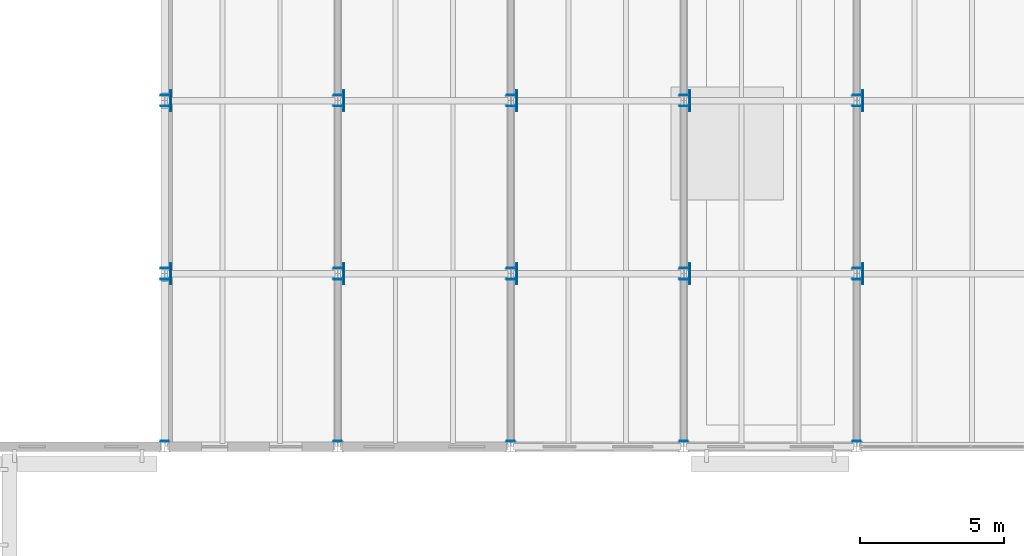
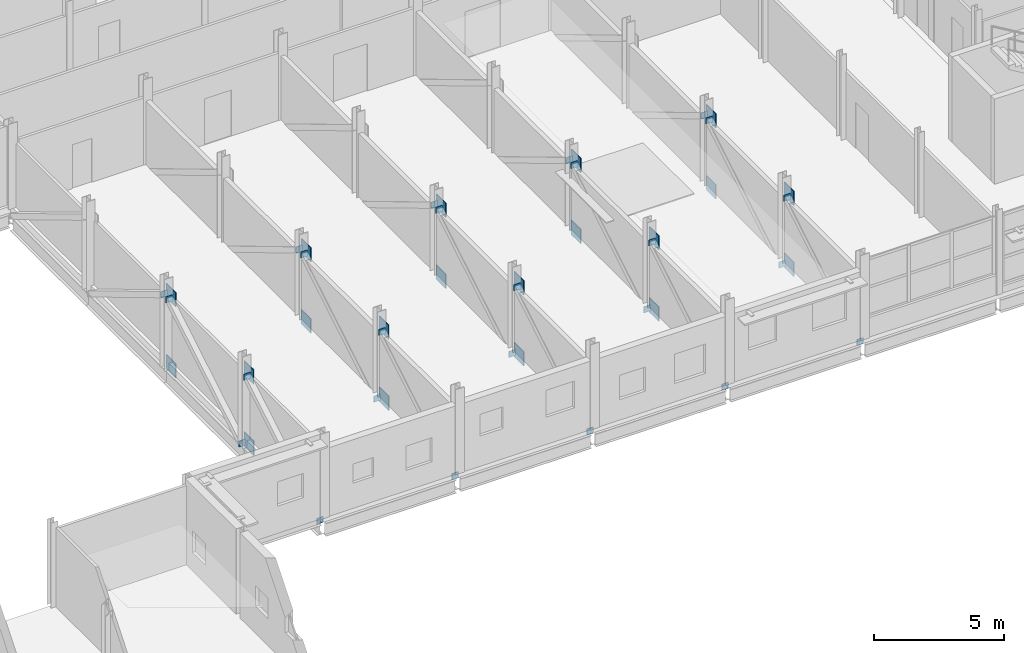
# One storey, part 54 of 92: 45 plates.
"""IFC4 building model written with IfcOpenShell, lengths in metres."""

from ifc_helpers import new_model, si_unit, direction, frame, origin, origin_2d, place, context, subcontext, project, spatial, rectangle, extrude, material, layer, layer_set, type_object, element, save


model = new_model("IFC4")

# Units and contexts
model_context = context("Model", 3, precision=1e-05, world=origin(), true_north=direction((0.0, 1.0)))
body_context = subcontext(model_context, "Body", "Model", "MODEL_VIEW")
ifc_project = project(units=[si_unit("LENGTHUNIT", "METRE"), si_unit("AREAUNIT", "SQUARE_METRE"), si_unit("VOLUMEUNIT", "CUBIC_METRE"), si_unit("PLANEANGLEUNIT", "RADIAN"), si_unit("MASSUNIT", "GRAM", prefix="KILO")], contexts=[model_context])

# Site, building, storey
site_placement = place(None, origin())
site = spatial("IfcSite", under=ifc_project, at=site_placement, CompositionType="ELEMENT")
building_placement = place(site_placement, origin())
building = spatial("IfcBuilding", under=site, at=building_placement, Name="Siltcreek Boulevard Central Fire Station", CompositionType="ELEMENT")
storey_placement = place(building_placement, frame((0.0, 0.0, 6.0)))
storey = spatial("IfcBuildingStorey", under=building, at=storey_placement, Name="L02", CompositionType="ELEMENT", Elevation=6.0)

# Plates
ifc_material = material(Name="Structural steel ASTM A572 Gr50", Category="steel")
ifc_layer_1 = layer(ifc_material, 0.02490234375, Name="Structural steel ASTM A572 Gr50")
ifc_layer_set_1 = layer_set([ifc_layer_1], Name="Structural steel ASTM A572 Gr50")
plate_type_1 = type_object("IfcPlateType", Name="PL_CAP25", PredefinedType="USERDEFINED", material=ifc_layer_set_1)
for number, where, z_axis, x_axis, name in (
    (1, (66.0, 18.19091796875, -0.474853515625), (0.0, 0.0, 1.0), (0.0, 1.0, 0.0), "Pratt transfer truss TT1 diagonal web 1 sealed end cap 1"),
    (2, (66.0, 23.80908203125, 2.891845703125), (0.0, 0.0, 1.0), (0.0, 1.0, 0.0), "Pratt transfer truss TT1 diagonal web 1 sealed end cap 2"),
    (3, (66.0, 24.19091796875, -0.474853515625), (0.0, 0.0, 1.0), (0.0, 1.0, 0.0), "Pratt transfer truss TT1 diagonal web 2 sealed end cap 1"),
    (4, (66.0, 29.80908203125, 2.891845703125), (0.0, 0.0, 1.0), (0.0, 1.0, 0.0), "Pratt transfer truss TT1 diagonal web 2 sealed end cap 2"),
    (5, (66.0, 30.19091796875, 2.891845703125), (0.0, 0.0, 1.0), (0.0, -1.0, 0.0), "Pratt transfer truss TT1 diagonal web 3 sealed end cap 2"),
    (6, (72.0, 18.19091796875, -0.474853515625), (0.0, 0.0, 1.0), (0.0, 1.0, 0.0), "Pratt transfer truss TT2 diagonal web 1 sealed end cap 1"),
    (7, (72.0, 23.80908203125, 2.891845703125), (0.0, 0.0, 1.0), (0.0, 1.0, 0.0), "Pratt transfer truss TT2 diagonal web 1 sealed end cap 2"),
    (8, (72.0, 24.19091796875, -0.474853515625), (0.0, 0.0, 1.0), (0.0, 1.0, 0.0), "Pratt transfer truss TT2 diagonal web 2 sealed end cap 1"),
    (9, (72.0, 29.80908203125, 2.891845703125), (0.0, 0.0, 1.0), (0.0, 1.0, 0.0), "Pratt transfer truss TT2 diagonal web 2 sealed end cap 2"),
    (10, (72.0, 30.19091796875, 2.891845703125), (0.0, 0.0, 1.0), (0.0, -1.0, 0.0), "Pratt transfer truss TT2 diagonal web 3 sealed end cap 2"),
    (11, (78.0, 18.19091796875, -0.474853515625), (0.0, 0.0, 1.0), (0.0, 1.0, 0.0), "Pratt transfer truss TT3 diagonal web 1 sealed end cap 1"),
    (12, (78.0, 23.80908203125, 2.891845703125), (0.0, 0.0, 1.0), (0.0, 1.0, 0.0), "Pratt transfer truss TT3 diagonal web 1 sealed end cap 2"),
    (13, (78.0, 24.19091796875, -0.474853515625), (0.0, 0.0, 1.0), (0.0, 1.0, 0.0), "Pratt transfer truss TT3 diagonal web 2 sealed end cap 1"),
    (14, (78.0, 29.80908203125, 2.891845703125), (0.0, 0.0, 1.0), (0.0, 1.0, 0.0), "Pratt transfer truss TT3 diagonal web 2 sealed end cap 2"),
    (15, (78.0, 30.19091796875, 2.891845703125), (0.0, 0.0, 1.0), (0.0, -1.0, 0.0), "Pratt transfer truss TT3 diagonal web 3 sealed end cap 2"),
    (16, (84.0, 18.19091796875, -0.474853515625), (0.0, 0.0, 1.0), (0.0, 1.0, 0.0), "Pratt transfer truss TT4 diagonal web 1 sealed end cap 1"),
    (17, (84.0, 23.80908203125, 2.891845703125), (0.0, 0.0, 1.0), (0.0, 1.0, 0.0), "Pratt transfer truss TT4 diagonal web 1 sealed end cap 2"),
    (18, (84.0, 24.19091796875, -0.474853515625), (0.0, 0.0, 1.0), (0.0, 1.0, 0.0), "Pratt transfer truss TT4 diagonal web 2 sealed end cap 1"),
    (19, (84.0, 29.80908203125, 2.891845703125), (0.0, 0.0, 1.0), (0.0, 1.0, 0.0), "Pratt transfer truss TT4 diagonal web 2 sealed end cap 2"),
    (20, (84.0, 30.19091796875, 2.891845703125), (0.0, 0.0, 1.0), (0.0, -1.0, 0.0), "Pratt transfer truss TT4 diagonal web 3 sealed end cap 2"),
    (21, (90.0, 18.19091796875, -0.474853515625), (0.0, 0.0, 1.0), (0.0, 1.0, 0.0), "Pratt transfer truss TT5 diagonal web 1 sealed end cap 1"),
    (22, (90.0, 23.80908203125, 2.891845703125), (0.0, 0.0, 1.0), (0.0, 1.0, 0.0), "Pratt transfer truss TT5 diagonal web 1 sealed end cap 2"),
    (23, (90.0, 24.19091796875, -0.474853515625), (0.0, 0.0, 1.0), (0.0, 1.0, 0.0), "Pratt transfer truss TT5 diagonal web 2 sealed end cap 1"),
    (24, (90.0, 29.80908203125, 2.891845703125), (0.0, 0.0, 1.0), (0.0, 1.0, 0.0), "Pratt transfer truss TT5 diagonal web 2 sealed end cap 2"),
    (25, (90.0, 30.19091796875, 2.891845703125), (0.0, 0.0, 1.0), (0.0, -1.0, 0.0), "Pratt transfer truss TT5 diagonal web 3 sealed end cap 2"),
):
    element("IfcPlate", number, at=place(storey_placement, frame(where, z_axis=z_axis, x_axis=x_axis)), inside=storey, type_object=plate_type_1, Name=name, ObjectType="END CAP", PredefinedType="USERDEFINED", context=body_context, shape_type="SweptSolid", body=[
        extrude(rectangle(XDim=0.02490234375, YDim=0.2900390625, at=origin_2d()), origin(), (0.0, 0.0, 1.0), 0.2900390625),
    ])
ifc_layer_2 = layer(ifc_material, 0.033935546875, Name="Structural steel ASTM A572 Gr50")
ifc_layer_set_2 = layer_set([ifc_layer_2], Name="Structural steel ASTM A572 Gr50")
plate_type_2 = type_object("IfcPlateType", Name="PL_GUS34", PredefinedType="USERDEFINED", material=ifc_layer_set_2)
for number, where, z_axis, x_axis, name in (
    (26, (66.2099609375, 24.0, 2.68359375), (0.0, 0.0, 1.0), (1.0, 0.0, 0.0), "Pratt transfer truss node gusset plate GP-002"),
    (27, (66.2099609375, 30.0, 2.68359375), (0.0, 0.0, 1.0), (1.0, 0.0, 0.0), "Pratt transfer truss node gusset plate GP-004"),
    (28, (72.2099609375, 24.0, 2.68359375), (0.0, 0.0, 1.0), (1.0, 0.0, 0.0), "Pratt transfer truss node gusset plate GP-008"),
    (29, (72.2099609375, 30.0, 2.68359375), (0.0, 0.0, 1.0), (1.0, 0.0, 0.0), "Pratt transfer truss node gusset plate GP-010"),
    (30, (78.2099609375, 24.0, 2.68359375), (0.0, 0.0, 1.0), (1.0, 0.0, 0.0), "Pratt transfer truss node gusset plate GP-014"),
    (31, (78.2099609375, 30.0, 2.68359375), (0.0, 0.0, 1.0), (1.0, 0.0, 0.0), "Pratt transfer truss node gusset plate GP-016"),
    (32, (84.2099609375, 24.0, 2.68359375), (0.0, 0.0, 1.0), (1.0, 0.0, 0.0), "Pratt transfer truss node gusset plate GP-020"),
    (33, (84.2099609375, 30.0, 2.68359375), (0.0, 0.0, 1.0), (1.0, 0.0, 0.0), "Pratt transfer truss node gusset plate GP-022"),
    (34, (90.2099609375, 24.0, 2.68359375), (0.0, 0.0, 1.0), (1.0, 0.0, 0.0), "Pratt transfer truss node gusset plate GP-026"),
    (35, (90.2099609375, 30.0, 2.68359375), (0.0, 0.0, 1.0), (1.0, 0.0, 0.0), "Pratt transfer truss node gusset plate GP-028"),
):
    element("IfcPlate", number, at=place(storey_placement, frame(where, z_axis=z_axis, x_axis=x_axis)), inside=storey, type_object=plate_type_2, Name=name, ObjectType="GUSSET PLATE", PredefinedType="USERDEFINED", context=body_context, shape_type="SweptSolid", body=[
        extrude(rectangle(XDim=0.033935546875, YDim=0.719970703125, at=origin_2d()), origin(), (0.0, 0.0, 1.0), 0.679931640625),
    ])
ifc_layer_3 = layer(ifc_material, 0.0400390625, Name="Structural steel ASTM A572 Gr50")
ifc_layer_set_3 = layer_set([ifc_layer_3], Name="Structural steel ASTM A572 Gr50")
plate_type_3 = type_object("IfcPlateType", Name="PL_GUS40", PredefinedType="USERDEFINED", material=ifc_layer_set_3)
for number, where, z_axis, x_axis, name in (
    (36, (66.2099609375, 24.0, -0.65625), (0.0, 0.0, 1.0), (1.0, 0.0, 0.0), "Pratt transfer truss node gusset plate GP-001"),
    (37, (66.2099609375, 30.0, -0.65625), (0.0, 0.0, 1.0), (1.0, 0.0, 0.0), "Pratt transfer truss node gusset plate GP-003"),
    (38, (72.2099609375, 24.0, -0.65625), (0.0, 0.0, 1.0), (1.0, 0.0, 0.0), "Pratt transfer truss node gusset plate GP-007"),
    (39, (72.2099609375, 30.0, -0.65625), (0.0, 0.0, 1.0), (1.0, 0.0, 0.0), "Pratt transfer truss node gusset plate GP-009"),
    (40, (78.2099609375, 24.0, -0.65625), (0.0, 0.0, 1.0), (1.0, 0.0, 0.0), "Pratt transfer truss node gusset plate GP-013"),
    (41, (78.2099609375, 30.0, -0.65625), (0.0, 0.0, 1.0), (1.0, 0.0, 0.0), "Pratt transfer truss node gusset plate GP-015"),
    (42, (84.2099609375, 24.0, -0.65625), (0.0, 0.0, 1.0), (1.0, 0.0, 0.0), "Pratt transfer truss node gusset plate GP-019"),
    (43, (84.2099609375, 30.0, -0.65625), (0.0, 0.0, 1.0), (1.0, 0.0, 0.0), "Pratt transfer truss node gusset plate GP-021"),
    (44, (90.2099609375, 24.0, -0.65625), (0.0, 0.0, 1.0), (1.0, 0.0, 0.0), "Pratt transfer truss node gusset plate GP-025"),
    (45, (90.2099609375, 30.0, -0.65625), (0.0, 0.0, 1.0), (1.0, 0.0, 0.0), "Pratt transfer truss node gusset plate GP-027"),
):
    element("IfcPlate", number, at=place(storey_placement, frame(where, z_axis=z_axis, x_axis=x_axis)), inside=storey, type_object=plate_type_3, Name=name, ObjectType="GUSSET PLATE", PredefinedType="USERDEFINED", context=body_context, shape_type="SweptSolid", body=[
        extrude(rectangle(XDim=0.0400390625, YDim=0.719970703125, at=origin_2d()), origin(), (0.0, 0.0, 1.0), 0.679931640625),
    ])

save(model, "model.ifc")
